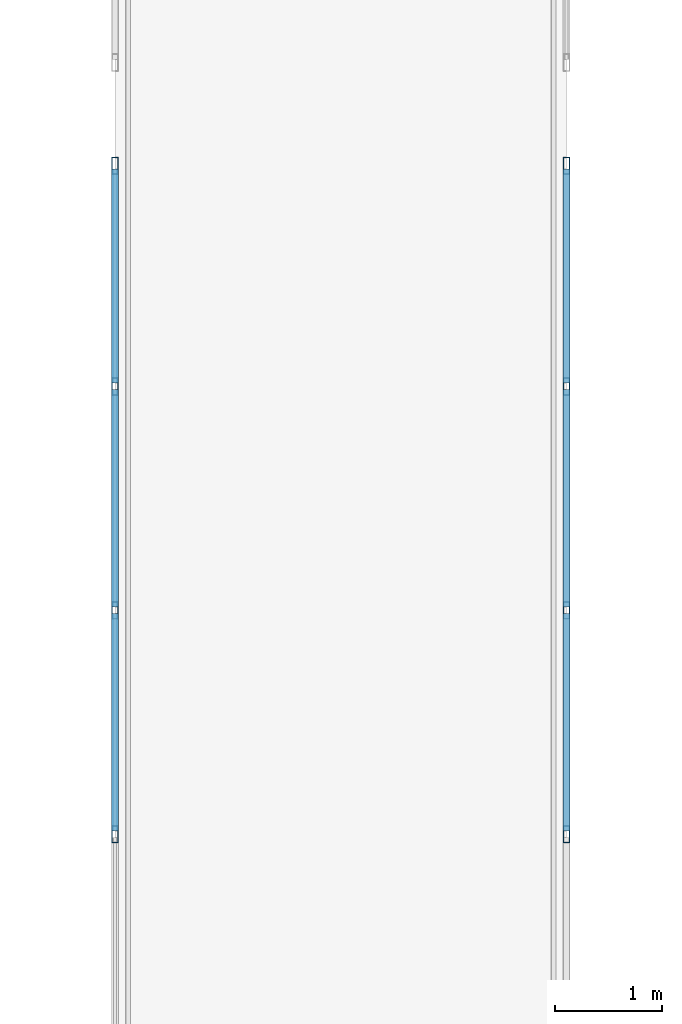
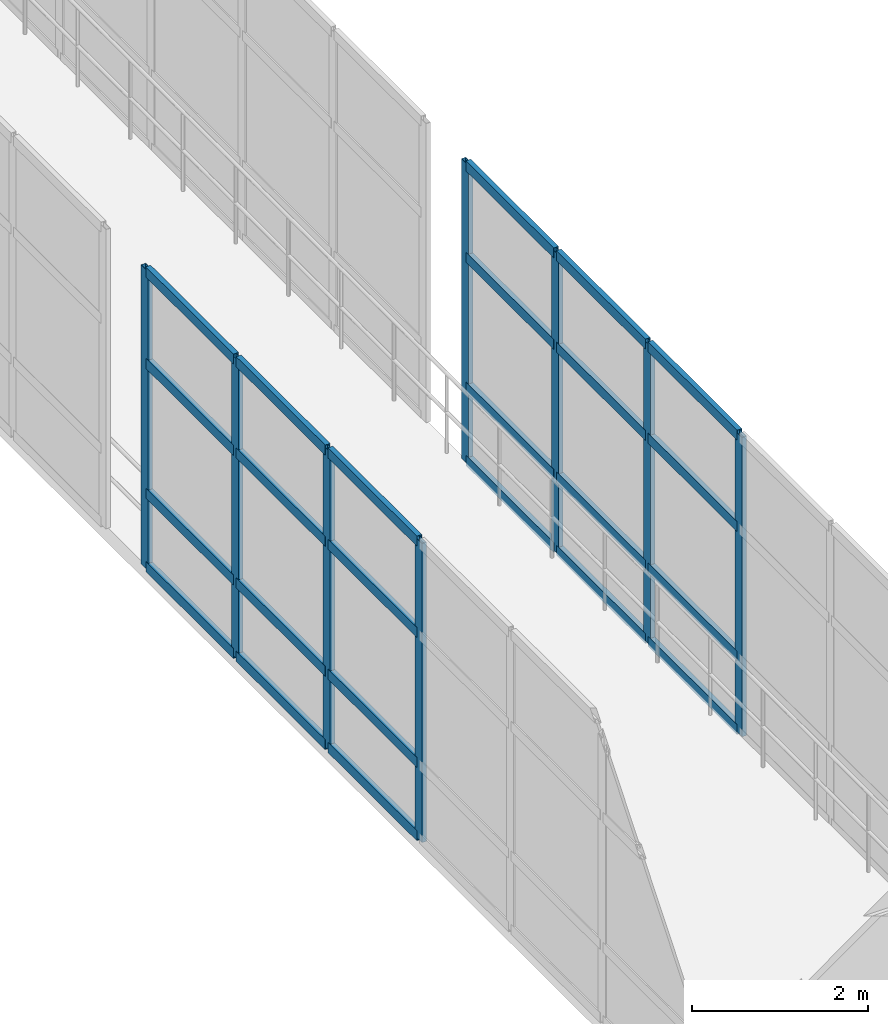
# One storey, part 50 of 105: 32 members, 2 elements without a shape of their own.
"""IFC4 building model written with IfcOpenShell, lengths in metres."""

import ifcopenshell
import ifcopenshell.guid

model = None  # the IFC model being written
_history = None  # IfcOwnerHistory: only IFC2X3 demands one
_inside = {}  # id of a spatial element -> (the spatial element, [elements in it])
_under = {}  # id of a project, library or spatial element -> (it, [spatial elements below it])
_declared = {}  # id of a project -> (the project, [libraries it declares])
_typed = {}  # id of a type object -> (the type object, [elements of that type])
_made_of = {}  # id of a material, layer set ... -> (it, [elements and type objects made of it])


def new_model(schema):
    """Start an empty IFC model of exactly this schema.

    Asked for "IFC4X3", IfcOpenShell would pick the latest addendum, in which some entities
    have other attributes; the version numbers below select the first issue.
    IFC2X3 requires an IfcOwnerHistory on every rooted entity: one is made here for all.
    """
    global model, _history
    if schema == "IFC4X3":
        model = ifcopenshell.file(schema_version=(4, 3, 0, 0))
    else:
        model = ifcopenshell.file(schema=schema)
    _inside.clear()
    _under.clear()
    _declared.clear()
    _typed.clear()
    _made_of.clear()
    _history = None
    if model.schema == "IFC2X3":
        org = make("IfcOrganization", Name="unknown")
        user = make(
            "IfcPersonAndOrganization",
            ThePerson=make("IfcPerson", FamilyName="unknown"),
            TheOrganization=org,
        )
        app = make(
            "IfcApplication",
            ApplicationDeveloper=org,
            Version="unknown",
            ApplicationFullName="unknown",
            ApplicationIdentifier="unknown",
        )
        _history = make(
            "IfcOwnerHistory",
            OwningUser=user,
            OwningApplication=app,
            ChangeAction="ADDED",
            CreationDate=0,
        )
    return model


def make(cls, **values):
    """One entity of the class cls with the attributes given. An attribute that is None is left unset."""
    return model.create_entity(
        cls, **{name: value for name, value in values.items() if value is not None}
    )


def rooted(cls, **values):
    """An entity with a GlobalId (a new one), such as an element, a storey or a relation."""
    return make(cls, GlobalId=ifcopenshell.guid.new(), OwnerHistory=_history, **values)


def si_unit(unit_type, name, prefix=None):
    """IfcSIUnit, for example si_unit("LENGTHUNIT", "METRE", prefix="MILLI")."""
    return make("IfcSIUnit", UnitType=unit_type, Prefix=prefix, Name=name)


def assignment(units):
    """IfcUnitAssignment: the units of a project."""
    return None if units is None else make("IfcUnitAssignment", Units=units)


def point(xyz):
    """IfcCartesianPoint."""
    return None if xyz is None else make("IfcCartesianPoint", Coordinates=xyz)


def direction(xyz):
    """IfcDirection."""
    return None if xyz is None else make("IfcDirection", DirectionRatios=xyz)


def frame(location, z_axis=None, x_axis=None):
    """IfcAxis2Placement3D, a coordinate frame: its origin and axes. An axis left out is left unset."""
    return make(
        "IfcAxis2Placement3D",
        Location=point(location),
        Axis=direction(z_axis),
        RefDirection=direction(x_axis),
    )


def frame_2d(location, x_axis=None):
    """IfcAxis2Placement2D, a coordinate frame in the plane: its origin and x axis."""
    return make(
        "IfcAxis2Placement2D", Location=point(location), RefDirection=direction(x_axis)
    )


def origin():
    """The frame at (0, 0, 0) with its axes left unset."""
    return frame((0.0, 0.0, 0.0))


def origin_2d():
    """The frame at (0, 0) in the plane with its x axis left unset."""
    return frame_2d((0.0, 0.0))


def place(relative_to, where):
    """IfcLocalPlacement: puts the frame where relative to a parent placement (None: the world)."""
    return make(
        "IfcLocalPlacement", PlacementRelTo=relative_to, RelativePlacement=where
    )


def context(
    kind, dimensions, precision=None, world=None, true_north=None, identifier=None
):
    """IfcGeometricRepresentationContext, for example the 3D "Model" context."""
    return make(
        "IfcGeometricRepresentationContext",
        ContextIdentifier=identifier,
        ContextType=kind,
        CoordinateSpaceDimension=dimensions,
        Precision=precision,
        WorldCoordinateSystem=world,
        TrueNorth=true_north,
    )


def subcontext(parent, identifier, kind, view, scale=None):
    """IfcGeometricRepresentationSubContext, for example "Body" below "Model"."""
    return make(
        "IfcGeometricRepresentationSubContext",
        ContextIdentifier=identifier,
        ContextType=kind,
        ParentContext=parent,
        TargetScale=scale,
        TargetView=view,
    )


def project(units=None, contexts=None):
    """IfcProject with its units and contexts."""
    return rooted(
        "IfcProject",
        Name="project",
        RepresentationContexts=contexts,
        UnitsInContext=assignment(units),
    )


def spatial(cls, under=None, at=None, **own):
    """A site, building, storey or space (cls), placed at a placement, below another one or the project."""
    s = rooted(cls, ObjectPlacement=at, **own)
    if under is not None:
        _under.setdefault(under.id(), (under, []))[1].append(s)
    return s


def profile(cls, at=None, kind="AREA", **sizes):
    """A parametric profile (cls). Its sizes go by their IFC names, for example OverallWidth=200.0."""
    return make(cls, ProfileType=kind, Position=at, **sizes)


def hollow_rectangle(**sizes):
    """IfcRectangleHollowProfileDef."""
    return profile("IfcRectangleHollowProfileDef", **sizes)


def extrude(swept, where, along, depth):
    """IfcExtrudedAreaSolid: the profile swept, set in the frame where, extruded along a direction by depth."""
    return make(
        "IfcExtrudedAreaSolid",
        SweptArea=swept,
        Position=where,
        ExtrudedDirection=direction(along),
        Depth=depth,
    )


def shape(context_of_items, identifier, shape_type, items):
    """IfcShapeRepresentation: the items that make up one representation, for example the "Body"."""
    return make(
        "IfcShapeRepresentation",
        ContextOfItems=context_of_items,
        RepresentationIdentifier=identifier,
        RepresentationType=shape_type,
        Items=items,
    )


def material(Name=None, Category=None):
    """IfcMaterial."""
    return make("IfcMaterial", Name=Name, Category=Category)


def layer(
    of_material, thickness, ventilated=None, Name=None, Category=None, Priority=None
):
    """IfcMaterialLayer: one layer of a wall or slab, of a material (None: an air gap)."""
    return make(
        "IfcMaterialLayer",
        Material=of_material,
        LayerThickness=thickness,
        IsVentilated=ventilated,
        Name=Name,
        Category=Category,
        Priority=Priority,
    )


def layer_set(layers, Name=None):
    """IfcMaterialLayerSet."""
    return make("IfcMaterialLayerSet", MaterialLayers=layers, LayerSetName=Name)


def material_profile(
    of_material, cross_section, Name=None, Category=None, Priority=None
):
    """IfcMaterialProfile: a cross section and its material."""
    return make(
        "IfcMaterialProfile",
        Name=Name,
        Material=of_material,
        Profile=cross_section,
        Priority=Priority,
        Category=Category,
    )


def profile_set(profiles, Name=None, composite=None):
    """IfcMaterialProfileSet."""
    return make(
        "IfcMaterialProfileSet",
        Name=Name,
        MaterialProfiles=profiles,
        CompositeProfile=composite,
    )


def made_of(thing, what):
    """Note that an element or type object is made of a material, layer set ...; save() writes the relation."""
    if what is not None:
        _made_of.setdefault(what.id(), (what, []))[1].append(thing)
    return thing


def type_object(cls, material=None, **own):
    """A type object (cls), such as IfcWallType, which elements share."""
    return made_of(rooted(cls, **own), material)


def element(
    cls,
    number,
    at=None,
    inside=None,
    cuts=None,
    type_object=None,
    material=None,
    context=None,
    identifier="Body",
    shape_type=None,
    held_by="IfcProductDefinitionShape",
    body=None,
    shapes=None,
    **own,
):
    """One element of the class cls, such as IfcWall. Its Tag is "e" and its number.

    at: its placement. inside: the storey or other place that contains it. cuts: it is an
    opening in that element (IfcRelVoidsElement). A single representation is given by context,
    identifier, shape_type and body (its items); several are given by shapes. held_by: the class
    of the entity that holds the representations. save() writes the other relations.
    """
    e = rooted(cls, Tag="e%d" % number, ObjectPlacement=at, **own)
    if body is not None:
        shapes = [shape(context, identifier, shape_type, body)]
    if shapes is not None:
        e.Representation = make(held_by, Representations=shapes)
    if inside is not None:
        _inside.setdefault(inside.id(), (inside, []))[1].append(e)
    if cuts is not None:
        rooted(
            "IfcRelVoidsElement", RelatingBuildingElement=cuts, RelatedOpeningElement=e
        )
    if type_object is not None:
        _typed.setdefault(type_object.id(), (type_object, []))[1].append(e)
    return made_of(e, material)


def aggregate(whole, parts):
    """IfcRelAggregates: a whole, such as a stair, and the parts it consists of."""
    return rooted("IfcRelAggregates", RelatingObject=whole, RelatedObjects=parts)


def save(model, path):
    """Write the relations noted so far, then the file.

    IfcRelAggregates (storeys below a building ...), IfcRelContainedInSpatialStructure (elements
    in a storey), IfcRelDefinesByType, IfcRelAssociatesMaterial and IfcRelDeclares: one each for
    every whole, place, type object, material and project.
    """
    for whole, parts in _under.values():
        aggregate(whole, parts)
    for where, things in _inside.values():
        rooted(
            "IfcRelContainedInSpatialStructure",
            RelatedElements=things,
            RelatingStructure=where,
        )
    for kind, things in _typed.values():
        rooted("IfcRelDefinesByType", RelatedObjects=things, RelatingType=kind)
    for what, things in _made_of.values():
        rooted("IfcRelAssociatesMaterial", RelatedObjects=things, RelatingMaterial=what)
    for by, libraries in _declared.values():
        rooted("IfcRelDeclares", RelatingContext=by, RelatedDefinitions=libraries)
    model.write(path)


model = new_model("IFC4")

# Units and contexts
model_context = context("Model", 3, precision=1e-05, world=origin(), true_north=direction((0.0, 1.0)))
body_context = subcontext(model_context, "Body", "Model", "MODEL_VIEW")
ifc_project = project(units=[si_unit("LENGTHUNIT", "METRE"), si_unit("AREAUNIT", "SQUARE_METRE"), si_unit("VOLUMEUNIT", "CUBIC_METRE"), si_unit("PLANEANGLEUNIT", "RADIAN"), si_unit("MASSUNIT", "GRAM", prefix="KILO")], contexts=[model_context])

# Site, building, storey
site_placement = place(None, origin())
site = spatial("IfcSite", under=ifc_project, at=site_placement, CompositionType="ELEMENT")
building_placement = place(site_placement, origin())
building = spatial("IfcBuilding", under=site, at=building_placement, Name="Selat Folded Stagehouse", CompositionType="ELEMENT")
storey_placement = place(building_placement, frame((0.0, 0.0, 10.199951171875)))
storey = spatial("IfcBuildingStorey", under=building, at=storey_placement, Name="L02", CompositionType="ELEMENT", Elevation=10.199951171875)

# Curtain wall, members
ifc_material = material(Name="Aluminium 6063-T6", Category="aluminium")
ifc_layer = layer(ifc_material, 0.175048828125)
ifc_layer_set = layer_set([ifc_layer], Name="Aluminium 6063-T6")
curtain_wall_type = type_object("IfcCurtainWallType", Name="CW-BRG-GLAZ", PredefinedType="NOTDEFINED", material=ifc_layer_set)
curtain_wall_1_placement = place(storey_placement, origin())
curtain_wall_1 = element("IfcCurtainWall", 1, at=curtain_wall_1_placement, inside=storey, type_object=curtain_wall_type, Name="L02 curtain wall CW-BRG-11", PredefinedType="NOTDEFINED")
ifc_material_profile_1 = material_profile(ifc_material, hollow_rectangle(XDim=0.06005859375, YDim=0.159912109375, WallThickness=0.00390625, at=origin_2d()), Name="ALU 160x60x4.0")
ifc_profile_set_1 = profile_set([ifc_material_profile_1], Name="Aluminium 6063-T6")
member_type_1 = type_object("IfcMemberType", Name="CWM-MUL-160x60", PredefinedType="MULLION", material=ifc_profile_set_1)
member_1_placement = place(storey_placement, frame((96.60009765625, 24.5, 0.0), z_axis=(0.0, 0.0, 1.0), x_axis=(-1.0, 0.0, 0.0)))
member_1 = element("IfcMember", 2, at=member_1_placement, type_object=member_type_1, Name="CW-07 mullion 4", PredefinedType="MULLION", context=body_context, shape_type="SweptSolid", body=[
    extrude(hollow_rectangle(XDim=0.06005859375, YDim=0.159912109375, WallThickness=0.00390625, at=origin_2d()), origin(), (0.0, 0.0, 1.0), 4.150146484375),
])
member_2_placement = place(storey_placement, frame((96.60009765625, 26.583251953125, 0.0), z_axis=(0.0, 0.0, 1.0), x_axis=(-1.0, 0.0, 0.0)))
member_2 = element("IfcMember", 3, at=member_2_placement, type_object=member_type_1, Name="CW-07 mullion 5", PredefinedType="MULLION", context=body_context, shape_type="SweptSolid", body=[
    extrude(hollow_rectangle(XDim=0.06005859375, YDim=0.159912109375, WallThickness=0.00390625, at=origin_2d()), origin(), (0.0, 0.0, 1.0), 4.150146484375),
])
member_3_placement = place(storey_placement, frame((96.60009765625, 28.666748046875, 0.0), z_axis=(0.0, 0.0, 1.0), x_axis=(-1.0, 0.0, 0.0)))
member_3 = element("IfcMember", 4, at=member_3_placement, type_object=member_type_1, Name="CW-07 mullion 6", PredefinedType="MULLION", context=body_context, shape_type="SweptSolid", body=[
    extrude(hollow_rectangle(XDim=0.06005859375, YDim=0.159912109375, WallThickness=0.00390625, at=origin_2d()), origin(), (0.0, 0.0, 1.0), 4.150146484375),
])
member_4_placement = place(storey_placement, frame((96.60009765625, 30.719970703125, 0.0), z_axis=(0.0, 0.0, 1.0), x_axis=(-1.0, 0.0, 0.0)))
member_4 = element("IfcMember", 5, at=member_4_placement, type_object=member_type_1, Name="CW-07 mullion 7", PredefinedType="MULLION", context=body_context, shape_type="SweptSolid", body=[
    extrude(hollow_rectangle(XDim=0.06005859375, YDim=0.159912109375, WallThickness=0.00390625, at=origin_2d()), origin(), (0.0, 0.0, 1.0), 4.150146484375),
])

curtain_wall_2_placement = place(storey_placement, origin())
curtain_wall_2 = element("IfcCurtainWall", 6, at=curtain_wall_2_placement, inside=storey, type_object=curtain_wall_type, Name="L02 curtain wall CW-BRG-16", PredefinedType="NOTDEFINED")
member_5_placement = place(storey_placement, frame((100.800048828125, 30.719970703125, 0.0), z_axis=(0.0, 0.0, 1.0), x_axis=(1.0, 0.0, 0.0)))
member_5 = element("IfcMember", 7, at=member_5_placement, type_object=member_type_1, Name="CW-07 mullion 1", PredefinedType="MULLION", context=body_context, shape_type="SweptSolid", body=[
    extrude(hollow_rectangle(XDim=0.06005859375, YDim=0.159912109375, WallThickness=0.00390625, at=origin_2d()), origin(), (0.0, 0.0, 1.0), 4.150146484375),
])
member_6_placement = place(storey_placement, frame((100.800048828125, 28.666748046875, 0.0), z_axis=(0.0, 0.0, 1.0), x_axis=(1.0, 0.0, 0.0)))
member_6 = element("IfcMember", 8, at=member_6_placement, type_object=member_type_1, Name="CW-07 mullion 2", PredefinedType="MULLION", context=body_context, shape_type="SweptSolid", body=[
    extrude(hollow_rectangle(XDim=0.06005859375, YDim=0.159912109375, WallThickness=0.00390625, at=origin_2d()), origin(), (0.0, 0.0, 1.0), 4.150146484375),
])
member_7_placement = place(storey_placement, frame((100.800048828125, 26.583251953125, 0.0), z_axis=(0.0, 0.0, 1.0), x_axis=(1.0, 0.0, 0.0)))
member_7 = element("IfcMember", 9, at=member_7_placement, type_object=member_type_1, Name="CW-07 mullion 3", PredefinedType="MULLION", context=body_context, shape_type="SweptSolid", body=[
    extrude(hollow_rectangle(XDim=0.06005859375, YDim=0.159912109375, WallThickness=0.00390625, at=origin_2d()), origin(), (0.0, 0.0, 1.0), 4.150146484375),
])
member_8_placement = place(storey_placement, frame((100.800048828125, 24.5, 0.0), z_axis=(0.0, 0.0, 1.0), x_axis=(1.0, 0.0, 0.0)))
member_8 = element("IfcMember", 10, at=member_8_placement, type_object=member_type_1, Name="CW-07 mullion 4", PredefinedType="MULLION", context=body_context, shape_type="SweptSolid", body=[
    extrude(hollow_rectangle(XDim=0.06005859375, YDim=0.159912109375, WallThickness=0.00390625, at=origin_2d()), origin(), (0.0, 0.0, 1.0), 4.150146484375),
])

# Member
ifc_material_profile_2 = material_profile(ifc_material, hollow_rectangle(XDim=0.06494140625, YDim=0.139892578125, WallThickness=0.00390625, at=origin_2d()), Name="ALU 140x65x4.0")
ifc_profile_set_2 = profile_set([ifc_material_profile_2], Name="Aluminium 6063-T6")
member_type_2 = type_object("IfcMemberType", Name="CWM-TRN-140x65", PredefinedType="USERDEFINED", material=ifc_profile_set_2)
member_9_placement = place(storey_placement, frame((96.60009765625, 24.530029296875, 0.032470703125), z_axis=(0.0, 1.0, 0.0), x_axis=(-1.0, 0.0, 0.0)))
member_9 = element("IfcMember", 11, at=member_9_placement, type_object=member_type_2, Name="CW-07 transom 4.1", ObjectType="TRANSOM", PredefinedType="USERDEFINED", context=body_context, shape_type="SweptSolid", body=[
    extrude(hollow_rectangle(XDim=0.06494140625, YDim=0.139892578125, WallThickness=0.00390625, at=origin_2d()), origin(), (0.0, 0.0, 1.0), 2.023193359375),
])

member_10_placement = place(storey_placement, frame((96.60009765625, 24.530029296875, 1.050048828125), z_axis=(0.0, 1.0, 0.0), x_axis=(-1.0, 0.0, 0.0)))
member_10 = element("IfcMember", 12, at=member_10_placement, type_object=member_type_2, Name="CW-07 transom 4.2", ObjectType="TRANSOM", PredefinedType="USERDEFINED", context=body_context, shape_type="SweptSolid", body=[
    extrude(hollow_rectangle(XDim=0.06494140625, YDim=0.139892578125, WallThickness=0.00390625, at=origin_2d()), origin(), (0.0, 0.0, 1.0), 2.023193359375),
])

member_11_placement = place(storey_placement, frame((96.60009765625, 24.530029296875, 2.85009765625), z_axis=(0.0, 1.0, 0.0), x_axis=(-1.0, 0.0, 0.0)))
member_11 = element("IfcMember", 13, at=member_11_placement, type_object=member_type_2, Name="CW-07 transom 4.3", ObjectType="TRANSOM", PredefinedType="USERDEFINED", context=body_context, shape_type="SweptSolid", body=[
    extrude(hollow_rectangle(XDim=0.06494140625, YDim=0.139892578125, WallThickness=0.00390625, at=origin_2d()), origin(), (0.0, 0.0, 1.0), 2.023193359375),
])

member_12_placement = place(storey_placement, frame((96.60009765625, 24.530029296875, 4.117431640625), z_axis=(0.0, 1.0, 0.0), x_axis=(-1.0, 0.0, 0.0)))
member_12 = element("IfcMember", 14, at=member_12_placement, type_object=member_type_2, Name="CW-07 transom 4.4", ObjectType="TRANSOM", PredefinedType="USERDEFINED", context=body_context, shape_type="SweptSolid", body=[
    extrude(hollow_rectangle(XDim=0.06494140625, YDim=0.139892578125, WallThickness=0.00390625, at=origin_2d()), origin(), (0.0, 0.0, 1.0), 2.023193359375),
])

member_13_placement = place(storey_placement, frame((96.60009765625, 26.61328125, 0.032470703125), z_axis=(0.0, 1.0, 0.0), x_axis=(-1.0, 0.0, 0.0)))
member_13 = element("IfcMember", 15, at=member_13_placement, type_object=member_type_2, Name="CW-07 transom 5.1", ObjectType="TRANSOM", PredefinedType="USERDEFINED", context=body_context, shape_type="SweptSolid", body=[
    extrude(hollow_rectangle(XDim=0.06494140625, YDim=0.139892578125, WallThickness=0.00390625, at=origin_2d()), origin(), (0.0, 0.0, 1.0), 2.0234375),
])

member_14_placement = place(storey_placement, frame((96.60009765625, 26.61328125, 1.050048828125), z_axis=(0.0, 1.0, 0.0), x_axis=(-1.0, 0.0, 0.0)))
member_14 = element("IfcMember", 16, at=member_14_placement, type_object=member_type_2, Name="CW-07 transom 5.2", ObjectType="TRANSOM", PredefinedType="USERDEFINED", context=body_context, shape_type="SweptSolid", body=[
    extrude(hollow_rectangle(XDim=0.06494140625, YDim=0.139892578125, WallThickness=0.00390625, at=origin_2d()), origin(), (0.0, 0.0, 1.0), 2.0234375),
])

member_15_placement = place(storey_placement, frame((96.60009765625, 26.61328125, 2.85009765625), z_axis=(0.0, 1.0, 0.0), x_axis=(-1.0, 0.0, 0.0)))
member_15 = element("IfcMember", 17, at=member_15_placement, type_object=member_type_2, Name="CW-07 transom 5.3", ObjectType="TRANSOM", PredefinedType="USERDEFINED", context=body_context, shape_type="SweptSolid", body=[
    extrude(hollow_rectangle(XDim=0.06494140625, YDim=0.139892578125, WallThickness=0.00390625, at=origin_2d()), origin(), (0.0, 0.0, 1.0), 2.0234375),
])

member_16_placement = place(storey_placement, frame((96.60009765625, 26.61328125, 4.117431640625), z_axis=(0.0, 1.0, 0.0), x_axis=(-1.0, 0.0, 0.0)))
member_16 = element("IfcMember", 18, at=member_16_placement, type_object=member_type_2, Name="CW-07 transom 5.4", ObjectType="TRANSOM", PredefinedType="USERDEFINED", context=body_context, shape_type="SweptSolid", body=[
    extrude(hollow_rectangle(XDim=0.06494140625, YDim=0.139892578125, WallThickness=0.00390625, at=origin_2d()), origin(), (0.0, 0.0, 1.0), 2.0234375),
])

member_17_placement = place(storey_placement, frame((96.60009765625, 28.69677734375, 0.032470703125), z_axis=(0.0, 1.0, 0.0), x_axis=(-1.0, 0.0, 0.0)))
member_17 = element("IfcMember", 19, at=member_17_placement, type_object=member_type_2, Name="CW-07 transom 6.1", ObjectType="TRANSOM", PredefinedType="USERDEFINED", context=body_context, shape_type="SweptSolid", body=[
    extrude(hollow_rectangle(XDim=0.06494140625, YDim=0.139892578125, WallThickness=0.00390625, at=origin_2d()), origin(), (0.0, 0.0, 1.0), 1.9931640625),
])

member_18_placement = place(storey_placement, frame((96.60009765625, 28.69677734375, 1.050048828125), z_axis=(0.0, 1.0, 0.0), x_axis=(-1.0, 0.0, 0.0)))
member_18 = element("IfcMember", 20, at=member_18_placement, type_object=member_type_2, Name="CW-07 transom 6.2", ObjectType="TRANSOM", PredefinedType="USERDEFINED", context=body_context, shape_type="SweptSolid", body=[
    extrude(hollow_rectangle(XDim=0.06494140625, YDim=0.139892578125, WallThickness=0.00390625, at=origin_2d()), origin(), (0.0, 0.0, 1.0), 1.9931640625),
])

member_19_placement = place(storey_placement, frame((96.60009765625, 28.69677734375, 2.85009765625), z_axis=(0.0, 1.0, 0.0), x_axis=(-1.0, 0.0, 0.0)))
member_19 = element("IfcMember", 21, at=member_19_placement, type_object=member_type_2, Name="CW-07 transom 6.3", ObjectType="TRANSOM", PredefinedType="USERDEFINED", context=body_context, shape_type="SweptSolid", body=[
    extrude(hollow_rectangle(XDim=0.06494140625, YDim=0.139892578125, WallThickness=0.00390625, at=origin_2d()), origin(), (0.0, 0.0, 1.0), 1.9931640625),
])

member_20_placement = place(storey_placement, frame((96.60009765625, 28.69677734375, 4.117431640625), z_axis=(0.0, 1.0, 0.0), x_axis=(-1.0, 0.0, 0.0)))
member_20 = element("IfcMember", 22, at=member_20_placement, type_object=member_type_2, Name="CW-07 transom 6.4", ObjectType="TRANSOM", PredefinedType="USERDEFINED", context=body_context, shape_type="SweptSolid", body=[
    extrude(hollow_rectangle(XDim=0.06494140625, YDim=0.139892578125, WallThickness=0.00390625, at=origin_2d()), origin(), (0.0, 0.0, 1.0), 1.9931640625),
])

aggregate(curtain_wall_1, [member_1, member_2, member_3, member_4, member_9, member_10, member_11, member_12, member_13, member_14, member_15, member_16, member_17, member_18, member_19, member_20])

member_21_placement = place(storey_placement, frame((100.800048828125, 30.68994140625, 0.032470703125), z_axis=(0.0, -1.0, 0.0), x_axis=(1.0, 0.0, 0.0)))
member_21 = element("IfcMember", 23, at=member_21_placement, type_object=member_type_2, Name="CW-07 transom 1.1", ObjectType="TRANSOM", PredefinedType="USERDEFINED", context=body_context, shape_type="SweptSolid", body=[
    extrude(hollow_rectangle(XDim=0.06494140625, YDim=0.139892578125, WallThickness=0.00390625, at=origin_2d()), origin(), (0.0, 0.0, 1.0), 1.9931640625),
])

member_22_placement = place(storey_placement, frame((100.800048828125, 30.68994140625, 1.050048828125), z_axis=(0.0, -1.0, 0.0), x_axis=(1.0, 0.0, 0.0)))
member_22 = element("IfcMember", 24, at=member_22_placement, type_object=member_type_2, Name="CW-07 transom 1.2", ObjectType="TRANSOM", PredefinedType="USERDEFINED", context=body_context, shape_type="SweptSolid", body=[
    extrude(hollow_rectangle(XDim=0.06494140625, YDim=0.139892578125, WallThickness=0.00390625, at=origin_2d()), origin(), (0.0, 0.0, 1.0), 1.9931640625),
])

member_23_placement = place(storey_placement, frame((100.800048828125, 30.68994140625, 2.85009765625), z_axis=(0.0, -1.0, 0.0), x_axis=(1.0, 0.0, 0.0)))
member_23 = element("IfcMember", 25, at=member_23_placement, type_object=member_type_2, Name="CW-07 transom 1.3", ObjectType="TRANSOM", PredefinedType="USERDEFINED", context=body_context, shape_type="SweptSolid", body=[
    extrude(hollow_rectangle(XDim=0.06494140625, YDim=0.139892578125, WallThickness=0.00390625, at=origin_2d()), origin(), (0.0, 0.0, 1.0), 1.9931640625),
])

member_24_placement = place(storey_placement, frame((100.800048828125, 30.68994140625, 4.117431640625), z_axis=(0.0, -1.0, 0.0), x_axis=(1.0, 0.0, 0.0)))
member_24 = element("IfcMember", 26, at=member_24_placement, type_object=member_type_2, Name="CW-07 transom 1.4", ObjectType="TRANSOM", PredefinedType="USERDEFINED", context=body_context, shape_type="SweptSolid", body=[
    extrude(hollow_rectangle(XDim=0.06494140625, YDim=0.139892578125, WallThickness=0.00390625, at=origin_2d()), origin(), (0.0, 0.0, 1.0), 1.9931640625),
])

member_25_placement = place(storey_placement, frame((100.800048828125, 28.63671875, 0.032470703125), z_axis=(0.0, -1.0, 0.0), x_axis=(1.0, 0.0, 0.0)))
member_25 = element("IfcMember", 27, at=member_25_placement, type_object=member_type_2, Name="CW-07 transom 2.1", ObjectType="TRANSOM", PredefinedType="USERDEFINED", context=body_context, shape_type="SweptSolid", body=[
    extrude(hollow_rectangle(XDim=0.06494140625, YDim=0.139892578125, WallThickness=0.00390625, at=origin_2d()), origin(), (0.0, 0.0, 1.0), 2.0234375),
])

member_26_placement = place(storey_placement, frame((100.800048828125, 28.63671875, 1.050048828125), z_axis=(0.0, -1.0, 0.0), x_axis=(1.0, 0.0, 0.0)))
member_26 = element("IfcMember", 28, at=member_26_placement, type_object=member_type_2, Name="CW-07 transom 2.2", ObjectType="TRANSOM", PredefinedType="USERDEFINED", context=body_context, shape_type="SweptSolid", body=[
    extrude(hollow_rectangle(XDim=0.06494140625, YDim=0.139892578125, WallThickness=0.00390625, at=origin_2d()), origin(), (0.0, 0.0, 1.0), 2.0234375),
])

member_27_placement = place(storey_placement, frame((100.800048828125, 28.63671875, 2.85009765625), z_axis=(0.0, -1.0, 0.0), x_axis=(1.0, 0.0, 0.0)))
member_27 = element("IfcMember", 29, at=member_27_placement, type_object=member_type_2, Name="CW-07 transom 2.3", ObjectType="TRANSOM", PredefinedType="USERDEFINED", context=body_context, shape_type="SweptSolid", body=[
    extrude(hollow_rectangle(XDim=0.06494140625, YDim=0.139892578125, WallThickness=0.00390625, at=origin_2d()), origin(), (0.0, 0.0, 1.0), 2.0234375),
])

member_28_placement = place(storey_placement, frame((100.800048828125, 28.63671875, 4.117431640625), z_axis=(0.0, -1.0, 0.0), x_axis=(1.0, 0.0, 0.0)))
member_28 = element("IfcMember", 30, at=member_28_placement, type_object=member_type_2, Name="CW-07 transom 2.4", ObjectType="TRANSOM", PredefinedType="USERDEFINED", context=body_context, shape_type="SweptSolid", body=[
    extrude(hollow_rectangle(XDim=0.06494140625, YDim=0.139892578125, WallThickness=0.00390625, at=origin_2d()), origin(), (0.0, 0.0, 1.0), 2.0234375),
])

member_29_placement = place(storey_placement, frame((100.800048828125, 26.55322265625, 0.032470703125), z_axis=(0.0, -1.0, 0.0), x_axis=(1.0, 0.0, 0.0)))
member_29 = element("IfcMember", 31, at=member_29_placement, type_object=member_type_2, Name="CW-07 transom 3.1", ObjectType="TRANSOM", PredefinedType="USERDEFINED", context=body_context, shape_type="SweptSolid", body=[
    extrude(hollow_rectangle(XDim=0.06494140625, YDim=0.139892578125, WallThickness=0.00390625, at=origin_2d()), origin(), (0.0, 0.0, 1.0), 2.023193359375),
])

member_30_placement = place(storey_placement, frame((100.800048828125, 26.55322265625, 1.050048828125), z_axis=(0.0, -1.0, 0.0), x_axis=(1.0, 0.0, 0.0)))
member_30 = element("IfcMember", 32, at=member_30_placement, type_object=member_type_2, Name="CW-07 transom 3.2", ObjectType="TRANSOM", PredefinedType="USERDEFINED", context=body_context, shape_type="SweptSolid", body=[
    extrude(hollow_rectangle(XDim=0.06494140625, YDim=0.139892578125, WallThickness=0.00390625, at=origin_2d()), origin(), (0.0, 0.0, 1.0), 2.023193359375),
])

member_31_placement = place(storey_placement, frame((100.800048828125, 26.55322265625, 2.85009765625), z_axis=(0.0, -1.0, 0.0), x_axis=(1.0, 0.0, 0.0)))
member_31 = element("IfcMember", 33, at=member_31_placement, type_object=member_type_2, Name="CW-07 transom 3.3", ObjectType="TRANSOM", PredefinedType="USERDEFINED", context=body_context, shape_type="SweptSolid", body=[
    extrude(hollow_rectangle(XDim=0.06494140625, YDim=0.139892578125, WallThickness=0.00390625, at=origin_2d()), origin(), (0.0, 0.0, 1.0), 2.023193359375),
])

member_32_placement = place(storey_placement, frame((100.800048828125, 26.55322265625, 4.117431640625), z_axis=(0.0, -1.0, 0.0), x_axis=(1.0, 0.0, 0.0)))
member_32 = element("IfcMember", 34, at=member_32_placement, type_object=member_type_2, Name="CW-07 transom 3.4", ObjectType="TRANSOM", PredefinedType="USERDEFINED", context=body_context, shape_type="SweptSolid", body=[
    extrude(hollow_rectangle(XDim=0.06494140625, YDim=0.139892578125, WallThickness=0.00390625, at=origin_2d()), origin(), (0.0, 0.0, 1.0), 2.023193359375),
])

aggregate(curtain_wall_2, [member_5, member_6, member_7, member_8, member_21, member_22, member_23, member_24, member_25, member_26, member_27, member_28, member_29, member_30, member_31, member_32])

save(model, "model.ifc")
